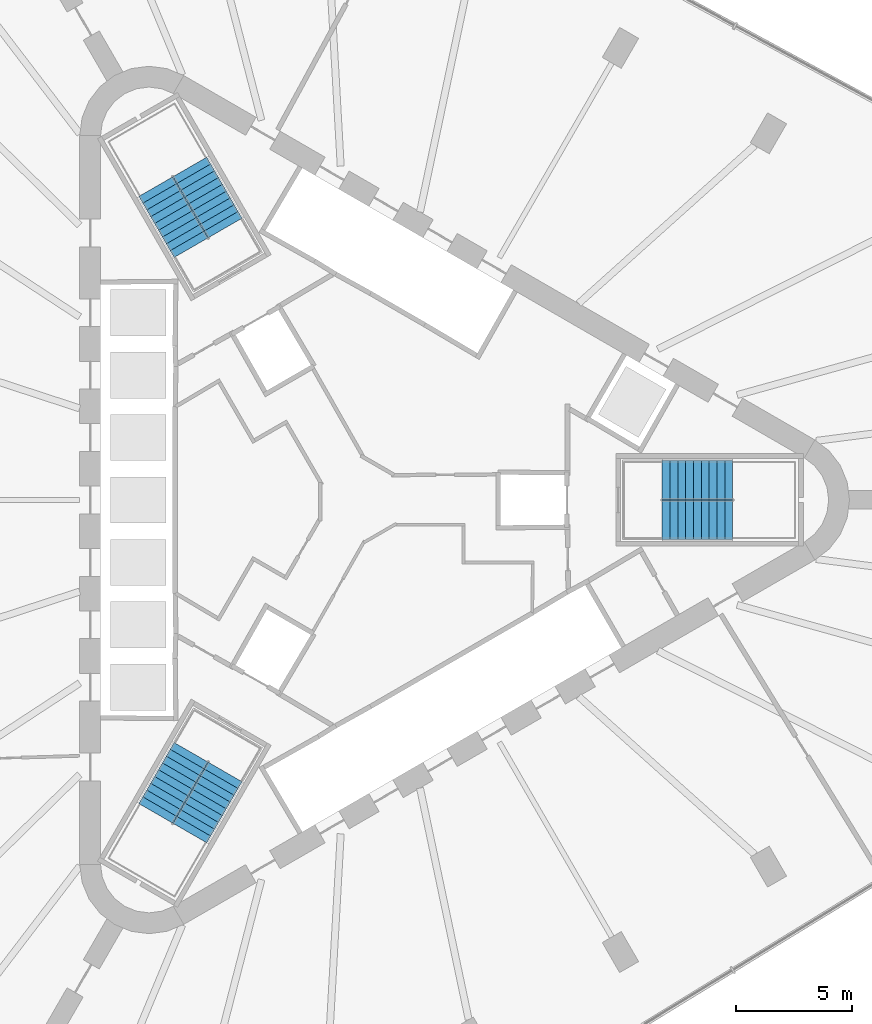
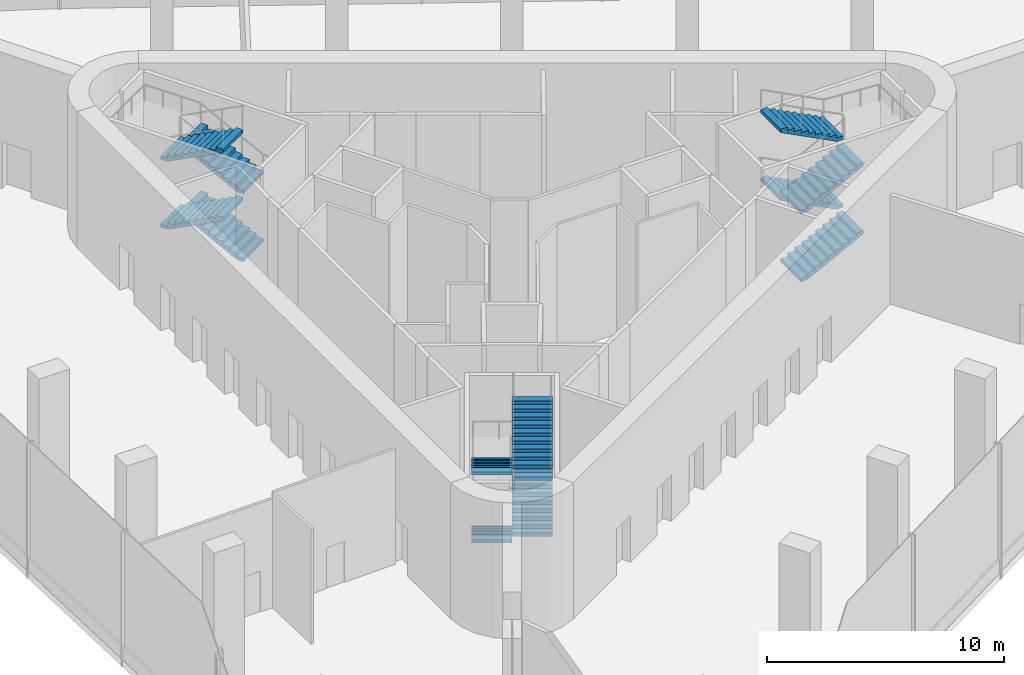
# One storey, part 12 of 15: 12 stair flights, 3 elements without a shape of their own.
"""IFC4 building model written with IfcOpenShell, lengths in metres."""

from ifc_helpers import new_model, si_unit, direction, frame, origin, place, context, subcontext, project, spatial, polyline, outline, extrude, material, type_object, element, aggregate, save


model = new_model("IFC4")

# Units and contexts
model_context = context("Model", 3, precision=1e-05, world=origin(), true_north=direction((0.0, 1.0)))
body_context = subcontext(model_context, "Body", "Model", "MODEL_VIEW")
ifc_project = project(units=[si_unit("LENGTHUNIT", "METRE"), si_unit("AREAUNIT", "SQUARE_METRE"), si_unit("VOLUMEUNIT", "CUBIC_METRE"), si_unit("PLANEANGLEUNIT", "RADIAN"), si_unit("MASSUNIT", "GRAM", prefix="KILO")], contexts=[model_context])

# Site, building, storey
site_placement = place(None, origin())
site = spatial("IfcSite", under=ifc_project, at=site_placement, CompositionType="ELEMENT")
building_placement = place(site_placement, origin())
building = spatial("IfcBuilding", under=site, at=building_placement, Name="Tanit Gate Tower", CompositionType="ELEMENT")
storey_placement = place(building_placement, frame((0.0, 0.0, 156.199951171875)))
storey = spatial("IfcBuildingStorey", under=building, at=storey_placement, Name="L34", CompositionType="ELEMENT", Elevation=156.199951171875)

# Stair, stair flights
ifc_material_1 = material(Name="Concrete C40/50", Category="concrete")
stair_type = type_object("IfcStairType", Name="INT-STAIR-EXIT", PredefinedType="HALF_TURN_STAIR", material=ifc_material_1)
stair_1_placement = place(storey_placement, origin())
stair_1 = element("IfcStair", 1, at=stair_1_placement, inside=storey, type_object=stair_type, Name="L34 STAIR S1", PredefinedType="HALF_TURN_STAIR")
ifc_material_2 = material(Name="Concrete C40/50", Category="concrete")
stair_flight_type = type_object("IfcStairFlightType", Name="INT-STAIR-FLIGHT", PredefinedType="STRAIGHT", material=ifc_material_2)
stair_flight_1_placement = place(storey_placement, frame((13.094970703125, -0.8525390625, 0.0), z_axis=(0.0, 0.0, 1.0), x_axis=(1.0, 0.0, 0.0)))
stair_flight_1 = element("IfcStairFlight", 2, at=stair_flight_1_placement, type_object=stair_flight_type, Name="S1 flight 1", NumberOfRisers=10, NumberOfTreads=9, PredefinedType="STRAIGHT", RiserHeight=0.175, TreadLength=0.339, context=body_context, shape_type="SweptSolid", body=[
    extrude(outline(polyline([(0.0, 0.0), (0.0, 0.175048828125), (0.339111328125, 0.175048828125), (0.339111328125, 0.35009765625), (0.677978515625, 0.35009765625), (0.677978515625, 0.52490234375), (1.01708984375, 0.52490234375), (1.01708984375, 0.699951171875), (1.35595703125, 0.699951171875), (1.35595703125, 0.875), (1.695068359375, 0.875), (1.695068359375, 1.050048828125), (2.033935546875, 1.050048828125), (2.033935546875, 1.22509765625), (2.373046875, 1.22509765625), (2.373046875, 1.39990234375), (2.7119140625, 1.39990234375), (2.7119140625, 1.574951171875), (3.051025390625, 1.574951171875), (3.051025390625, 1.75), (3.051025390625, 1.40625), (0.326904296875, 0.0), (0.0, 0.0)])), frame((0.0, 0.84765625, 0.0), z_axis=(0.0, -1.0, 0.0), x_axis=(1.0, 0.0, 0.0)), (0.0, 0.0, 1.0), 1.695068359375),
])
stair_flight_2_placement = place(storey_placement, frame((16.14599609375, 0.8525390625, 1.75), z_axis=(0.0, 0.0, 1.0), x_axis=(-1.0, 0.0, 0.0)))
stair_flight_2 = element("IfcStairFlight", 3, at=stair_flight_2_placement, type_object=stair_flight_type, Name="S1 flight 2", NumberOfRisers=10, NumberOfTreads=9, PredefinedType="STRAIGHT", RiserHeight=0.175, TreadLength=0.339, context=body_context, shape_type="SweptSolid", body=[
    extrude(outline(polyline([(0.0, 0.0), (0.0, 0.175048828125), (0.339111328125, 0.175048828125), (0.339111328125, 0.35009765625), (0.677978515625, 0.35009765625), (0.677978515625, 0.52490234375), (1.01708984375, 0.52490234375), (1.01708984375, 0.699951171875), (1.35595703125, 0.699951171875), (1.35595703125, 0.875), (1.695068359375, 0.875), (1.695068359375, 1.050048828125), (2.033935546875, 1.050048828125), (2.033935546875, 1.22509765625), (2.373046875, 1.22509765625), (2.373046875, 1.39990234375), (2.7119140625, 1.39990234375), (2.7119140625, 1.574951171875), (3.051025390625, 1.574951171875), (3.051025390625, 1.75), (3.051025390625, 1.40625), (0.326904296875, 0.0), (0.0, 0.0)])), frame((0.0, 0.84765625, 0.0), z_axis=(0.0, -1.0, 0.0), x_axis=(1.0, 0.0, 0.0)), (0.0, 0.0, 1.0), 1.695068359375),
])
stair_flight_3_placement = place(storey_placement, frame((13.094970703125, -0.8525390625, 3.5), z_axis=(0.0, 0.0, 1.0), x_axis=(1.0, 0.0, 0.0)))
stair_flight_3 = element("IfcStairFlight", 4, at=stair_flight_3_placement, type_object=stair_flight_type, Name="S1 flight 3", NumberOfRisers=10, NumberOfTreads=9, PredefinedType="STRAIGHT", RiserHeight=0.175, TreadLength=0.339, context=body_context, shape_type="SweptSolid", body=[
    extrude(outline(polyline([(0.0, 0.0), (0.0, 0.175048828125), (0.339111328125, 0.175048828125), (0.339111328125, 0.35009765625), (0.677978515625, 0.35009765625), (0.677978515625, 0.52490234375), (1.01708984375, 0.52490234375), (1.01708984375, 0.699951171875), (1.35595703125, 0.699951171875), (1.35595703125, 0.875), (1.695068359375, 0.875), (1.695068359375, 1.050048828125), (2.033935546875, 1.050048828125), (2.033935546875, 1.22509765625), (2.373046875, 1.22509765625), (2.373046875, 1.39990234375), (2.7119140625, 1.39990234375), (2.7119140625, 1.574951171875), (3.051025390625, 1.574951171875), (3.051025390625, 1.75), (3.051025390625, 1.40625), (0.326904296875, 0.0), (0.0, 0.0)])), frame((0.0, 0.84765625, 0.0), z_axis=(0.0, -1.0, 0.0), x_axis=(1.0, 0.0, 0.0)), (0.0, 0.0, 1.0), 1.695068359375),
])
stair_flight_4_placement = place(storey_placement, frame((16.14599609375, 0.8525390625, 5.25), z_axis=(0.0, 0.0, 1.0), x_axis=(-1.0, 0.0, 0.0)))
stair_flight_4 = element("IfcStairFlight", 5, at=stair_flight_4_placement, type_object=stair_flight_type, Name="S1 flight 4", NumberOfRisers=10, NumberOfTreads=9, PredefinedType="STRAIGHT", RiserHeight=0.175, TreadLength=0.339, context=body_context, shape_type="SweptSolid", body=[
    extrude(outline(polyline([(0.0, 0.0), (0.0, 0.175048828125), (0.339111328125, 0.175048828125), (0.339111328125, 0.35009765625), (0.677978515625, 0.35009765625), (0.677978515625, 0.52490234375), (1.01708984375, 0.52490234375), (1.01708984375, 0.699951171875), (1.35595703125, 0.699951171875), (1.35595703125, 0.875), (1.695068359375, 0.875), (1.695068359375, 1.050048828125), (2.033935546875, 1.050048828125), (2.033935546875, 1.22509765625), (2.373046875, 1.22509765625), (2.373046875, 1.39990234375), (2.7119140625, 1.39990234375), (2.7119140625, 1.574951171875), (3.051025390625, 1.574951171875), (3.051025390625, 1.75), (3.051025390625, 1.40625), (0.326904296875, 0.0), (0.0, 0.0)])), frame((0.0, 0.84765625, 0.0), z_axis=(0.0, -1.0, 0.0), x_axis=(1.0, 0.0, 0.0)), (0.0, 0.0, 1.0), 1.695068359375),
])
aggregate(stair_1, [stair_flight_1, stair_flight_2, stair_flight_3, stair_flight_4])

stair_2_placement = place(storey_placement, origin())
stair_2 = element("IfcStair", 6, at=stair_2_placement, inside=storey, type_object=stair_type, Name="L34 STAIR S2", PredefinedType="HALF_TURN_STAIR")
stair_flight_5_placement = place(storey_placement, frame((-5.808349609375, 11.766357421875, 0.0), z_axis=(0.0, 0.0, 1.0), x_axis=(-0.5, 0.866025403784, 0.0)))
stair_flight_5 = element("IfcStairFlight", 7, at=stair_flight_5_placement, type_object=stair_flight_type, Name="S2 flight 1", NumberOfRisers=10, NumberOfTreads=9, PredefinedType="STRAIGHT", RiserHeight=0.175, TreadLength=0.3388, context=body_context, shape_type="SweptSolid", body=[
    extrude(outline(polyline([(0.0, 0.0), (0.0, 0.175048828125), (0.3388671875, 0.175048828125), (0.3388671875, 0.35009765625), (0.677490234375, 0.35009765625), (0.677490234375, 0.52490234375), (1.016357421875, 0.52490234375), (1.016357421875, 0.699951171875), (1.355224609375, 0.699951171875), (1.355224609375, 0.875), (1.694091796875, 0.875), (1.694091796875, 1.050048828125), (2.03271484375, 1.050048828125), (2.03271484375, 1.22509765625), (2.37158203125, 1.22509765625), (2.37158203125, 1.39990234375), (2.71044921875, 1.39990234375), (2.71044921875, 1.574951171875), (3.04931640625, 1.574951171875), (3.04931640625, 1.75), (3.04931640625, 1.40625), (0.32666015625, 0.0), (0.0, 0.0)])), frame((0.0, 0.84716796875, 0.0), z_axis=(0.0, -1.0, 0.0), x_axis=(1.0, 0.0, 0.0)), (0.0, 0.0, 1.0), 1.694091796875),
])
stair_flight_6_placement = place(storey_placement, frame((-8.810302734375, 13.553955078125, 1.75), z_axis=(0.0, 0.0, 1.0), x_axis=(0.5, -0.866025403784, 0.0)))
stair_flight_6 = element("IfcStairFlight", 8, at=stair_flight_6_placement, type_object=stair_flight_type, Name="S2 flight 2", NumberOfRisers=10, NumberOfTreads=9, PredefinedType="STRAIGHT", RiserHeight=0.175, TreadLength=0.3388, context=body_context, shape_type="SweptSolid", body=[
    extrude(outline(polyline([(0.0, 0.0), (0.0, 0.175048828125), (0.3388671875, 0.175048828125), (0.3388671875, 0.35009765625), (0.677490234375, 0.35009765625), (0.677490234375, 0.52490234375), (1.016357421875, 0.52490234375), (1.016357421875, 0.699951171875), (1.355224609375, 0.699951171875), (1.355224609375, 0.875), (1.694091796875, 0.875), (1.694091796875, 1.050048828125), (2.03271484375, 1.050048828125), (2.03271484375, 1.22509765625), (2.37158203125, 1.22509765625), (2.37158203125, 1.39990234375), (2.71044921875, 1.39990234375), (2.71044921875, 1.574951171875), (3.04931640625, 1.574951171875), (3.04931640625, 1.75), (3.04931640625, 1.40625), (0.32666015625, 0.0), (0.0, 0.0)])), frame((0.0, 0.84716796875, 0.0), z_axis=(0.0, -1.0, 0.0), x_axis=(1.0, 0.0, 0.0)), (0.0, 0.0, 1.0), 1.694091796875),
])
stair_flight_7_placement = place(storey_placement, frame((-5.808349609375, 11.766357421875, 3.5), z_axis=(0.0, 0.0, 1.0), x_axis=(-0.5, 0.866025403784, 0.0)))
stair_flight_7 = element("IfcStairFlight", 9, at=stair_flight_7_placement, type_object=stair_flight_type, Name="S2 flight 3", NumberOfRisers=10, NumberOfTreads=9, PredefinedType="STRAIGHT", RiserHeight=0.175, TreadLength=0.3388, context=body_context, shape_type="SweptSolid", body=[
    extrude(outline(polyline([(0.0, 0.0), (0.0, 0.175048828125), (0.3388671875, 0.175048828125), (0.3388671875, 0.35009765625), (0.677490234375, 0.35009765625), (0.677490234375, 0.52490234375), (1.016357421875, 0.52490234375), (1.016357421875, 0.699951171875), (1.355224609375, 0.699951171875), (1.355224609375, 0.875), (1.694091796875, 0.875), (1.694091796875, 1.050048828125), (2.03271484375, 1.050048828125), (2.03271484375, 1.22509765625), (2.37158203125, 1.22509765625), (2.37158203125, 1.39990234375), (2.71044921875, 1.39990234375), (2.71044921875, 1.574951171875), (3.04931640625, 1.574951171875), (3.04931640625, 1.75), (3.04931640625, 1.40625), (0.32666015625, 0.0), (0.0, 0.0)])), frame((0.0, 0.84716796875, 0.0), z_axis=(0.0, -1.0, 0.0), x_axis=(1.0, 0.0, 0.0)), (0.0, 0.0, 1.0), 1.694091796875),
])
stair_flight_8_placement = place(storey_placement, frame((-8.810302734375, 13.553955078125, 5.25), z_axis=(0.0, 0.0, 1.0), x_axis=(0.5, -0.866025403784, 0.0)))
stair_flight_8 = element("IfcStairFlight", 10, at=stair_flight_8_placement, type_object=stair_flight_type, Name="S2 flight 4", NumberOfRisers=10, NumberOfTreads=9, PredefinedType="STRAIGHT", RiserHeight=0.175, TreadLength=0.3388, context=body_context, shape_type="SweptSolid", body=[
    extrude(outline(polyline([(0.0, 0.0), (0.0, 0.175048828125), (0.3388671875, 0.175048828125), (0.3388671875, 0.35009765625), (0.677490234375, 0.35009765625), (0.677490234375, 0.52490234375), (1.016357421875, 0.52490234375), (1.016357421875, 0.699951171875), (1.355224609375, 0.699951171875), (1.355224609375, 0.875), (1.694091796875, 0.875), (1.694091796875, 1.050048828125), (2.03271484375, 1.050048828125), (2.03271484375, 1.22509765625), (2.37158203125, 1.22509765625), (2.37158203125, 1.39990234375), (2.71044921875, 1.39990234375), (2.71044921875, 1.574951171875), (3.04931640625, 1.574951171875), (3.04931640625, 1.75), (3.04931640625, 1.40625), (0.32666015625, 0.0), (0.0, 0.0)])), frame((0.0, 0.84716796875, 0.0), z_axis=(0.0, -1.0, 0.0), x_axis=(1.0, 0.0, 0.0)), (0.0, 0.0, 1.0), 1.694091796875),
])
aggregate(stair_2, [stair_flight_5, stair_flight_6, stair_flight_7, stair_flight_8])

stair_3_placement = place(storey_placement, origin())
stair_3 = element("IfcStair", 11, at=stair_3_placement, inside=storey, type_object=stair_type, Name="L34 STAIR S3", PredefinedType="HALF_TURN_STAIR")
stair_flight_9_placement = place(storey_placement, frame((-7.285888671875, -10.914306640625, 0.0), z_axis=(0.0, 0.0, 1.0), x_axis=(-0.5, -0.866025403784, 0.0)))
stair_flight_9 = element("IfcStairFlight", 12, at=stair_flight_9_placement, type_object=stair_flight_type, Name="S3 flight 1", NumberOfRisers=10, NumberOfTreads=9, PredefinedType="STRAIGHT", RiserHeight=0.175, TreadLength=0.339, context=body_context, shape_type="SweptSolid", body=[
    extrude(outline(polyline([(0.0, 0.0), (0.0, 0.175048828125), (0.339111328125, 0.175048828125), (0.339111328125, 0.35009765625), (0.677978515625, 0.35009765625), (0.677978515625, 0.52490234375), (1.01708984375, 0.52490234375), (1.01708984375, 0.699951171875), (1.35595703125, 0.699951171875), (1.35595703125, 0.875), (1.695068359375, 0.875), (1.695068359375, 1.050048828125), (2.033935546875, 1.050048828125), (2.033935546875, 1.22509765625), (2.373046875, 1.22509765625), (2.373046875, 1.39990234375), (2.7119140625, 1.39990234375), (2.7119140625, 1.574951171875), (3.051025390625, 1.574951171875), (3.051025390625, 1.75), (3.051025390625, 1.40625), (0.326904296875, 0.0), (0.0, 0.0)])), frame((0.0, 0.84765625, 0.0), z_axis=(0.0, -1.0, 0.0), x_axis=(1.0, 0.0, 0.0)), (0.0, 0.0, 1.0), 1.695068359375),
])
stair_flight_10_placement = place(storey_placement, frame((-7.334716796875, -14.4091796875, 1.75), z_axis=(0.0, 0.0, 1.0), x_axis=(0.5, 0.866025403784, 0.0)))
stair_flight_10 = element("IfcStairFlight", 13, at=stair_flight_10_placement, type_object=stair_flight_type, Name="S3 flight 2", NumberOfRisers=10, NumberOfTreads=9, PredefinedType="STRAIGHT", RiserHeight=0.175, TreadLength=0.339, context=body_context, shape_type="SweptSolid", body=[
    extrude(outline(polyline([(0.0, 0.0), (0.0, 0.175048828125), (0.339111328125, 0.175048828125), (0.339111328125, 0.35009765625), (0.677978515625, 0.35009765625), (0.677978515625, 0.52490234375), (1.01708984375, 0.52490234375), (1.01708984375, 0.699951171875), (1.35595703125, 0.699951171875), (1.35595703125, 0.875), (1.695068359375, 0.875), (1.695068359375, 1.050048828125), (2.033935546875, 1.050048828125), (2.033935546875, 1.22509765625), (2.373046875, 1.22509765625), (2.373046875, 1.39990234375), (2.7119140625, 1.39990234375), (2.7119140625, 1.574951171875), (3.051025390625, 1.574951171875), (3.051025390625, 1.75), (3.051025390625, 1.40625), (0.326904296875, 0.0), (0.0, 0.0)])), frame((0.0, 0.84765625, 0.0), z_axis=(0.0, -1.0, 0.0), x_axis=(1.0, 0.0, 0.0)), (0.0, 0.0, 1.0), 1.695068359375),
])
stair_flight_11_placement = place(storey_placement, frame((-7.285888671875, -10.914306640625, 3.5), z_axis=(0.0, 0.0, 1.0), x_axis=(-0.5, -0.866025403784, 0.0)))
stair_flight_11 = element("IfcStairFlight", 14, at=stair_flight_11_placement, type_object=stair_flight_type, Name="S3 flight 3", NumberOfRisers=10, NumberOfTreads=9, PredefinedType="STRAIGHT", RiserHeight=0.175, TreadLength=0.339, context=body_context, shape_type="SweptSolid", body=[
    extrude(outline(polyline([(0.0, 0.0), (0.0, 0.175048828125), (0.339111328125, 0.175048828125), (0.339111328125, 0.35009765625), (0.677978515625, 0.35009765625), (0.677978515625, 0.52490234375), (1.01708984375, 0.52490234375), (1.01708984375, 0.699951171875), (1.35595703125, 0.699951171875), (1.35595703125, 0.875), (1.695068359375, 0.875), (1.695068359375, 1.050048828125), (2.033935546875, 1.050048828125), (2.033935546875, 1.22509765625), (2.373046875, 1.22509765625), (2.373046875, 1.39990234375), (2.7119140625, 1.39990234375), (2.7119140625, 1.574951171875), (3.051025390625, 1.574951171875), (3.051025390625, 1.75), (3.051025390625, 1.40625), (0.326904296875, 0.0), (0.0, 0.0)])), frame((0.0, 0.84765625, 0.0), z_axis=(0.0, -1.0, 0.0), x_axis=(1.0, 0.0, 0.0)), (0.0, 0.0, 1.0), 1.695068359375),
])
stair_flight_12_placement = place(storey_placement, frame((-7.334716796875, -14.4091796875, 5.25), z_axis=(0.0, 0.0, 1.0), x_axis=(0.5, 0.866025403784, 0.0)))
stair_flight_12 = element("IfcStairFlight", 15, at=stair_flight_12_placement, type_object=stair_flight_type, Name="S3 flight 4", NumberOfRisers=10, NumberOfTreads=9, PredefinedType="STRAIGHT", RiserHeight=0.175, TreadLength=0.339, context=body_context, shape_type="SweptSolid", body=[
    extrude(outline(polyline([(0.0, 0.0), (0.0, 0.175048828125), (0.339111328125, 0.175048828125), (0.339111328125, 0.35009765625), (0.677978515625, 0.35009765625), (0.677978515625, 0.52490234375), (1.01708984375, 0.52490234375), (1.01708984375, 0.699951171875), (1.35595703125, 0.699951171875), (1.35595703125, 0.875), (1.695068359375, 0.875), (1.695068359375, 1.050048828125), (2.033935546875, 1.050048828125), (2.033935546875, 1.22509765625), (2.373046875, 1.22509765625), (2.373046875, 1.39990234375), (2.7119140625, 1.39990234375), (2.7119140625, 1.574951171875), (3.051025390625, 1.574951171875), (3.051025390625, 1.75), (3.051025390625, 1.40625), (0.326904296875, 0.0), (0.0, 0.0)])), frame((0.0, 0.84765625, 0.0), z_axis=(0.0, -1.0, 0.0), x_axis=(1.0, 0.0, 0.0)), (0.0, 0.0, 1.0), 1.695068359375),
])
aggregate(stair_3, [stair_flight_9, stair_flight_10, stair_flight_11, stair_flight_12])

save(model, "model.ifc")
